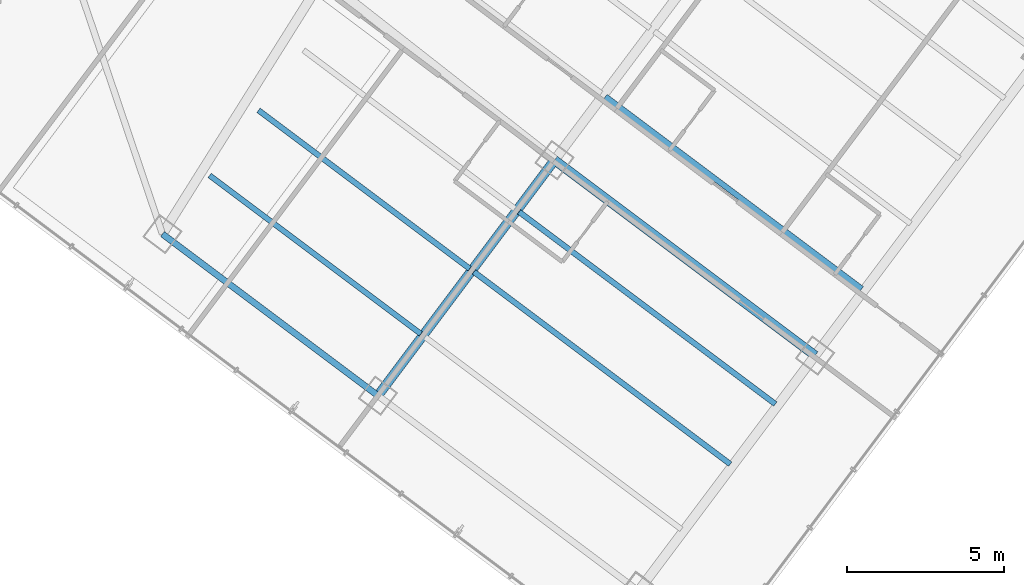
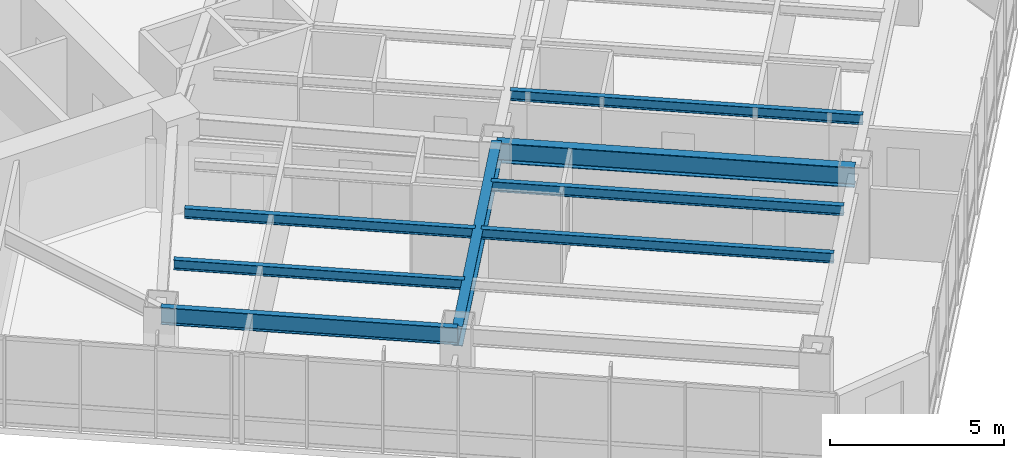
# One storey, part 13 of 36: 8 beams.
"""IFC4 building model written with IfcOpenShell, lengths in metres."""

from ifc_helpers import new_model, si_unit, direction, frame, origin, origin_2d, place, context, subcontext, project, spatial, i_section, extrude, material, material_profile, profile_set, type_object, element, save


model = new_model("IFC4")

# Units and contexts
model_context = context("Model", 3, precision=1e-05, world=origin(), true_north=direction((0.0, 1.0)))
body_context = subcontext(model_context, "Body", "Model", "MODEL_VIEW")
ifc_project = project(units=[si_unit("LENGTHUNIT", "METRE"), si_unit("AREAUNIT", "SQUARE_METRE"), si_unit("VOLUMEUNIT", "CUBIC_METRE"), si_unit("PLANEANGLEUNIT", "RADIAN"), si_unit("MASSUNIT", "GRAM", prefix="KILO")], contexts=[model_context])

# Site, building, storey
site_placement = place(None, origin())
site = spatial("IfcSite", under=ifc_project, at=site_placement, CompositionType="ELEMENT")
building_placement = place(site_placement, origin())
building = spatial("IfcBuilding", under=site, at=building_placement, Name="Hatsunagi Terrace Concourse", CompositionType="ELEMENT")
storey_placement = place(building_placement, frame((0.0, 0.0, 84.64990234375)))
storey = spatial("IfcBuildingStorey", under=building, at=storey_placement, Name="L22", CompositionType="ELEMENT", Elevation=84.64990234375)

# Beams
ifc_material_1 = material(Name="Steel SN490B", Category="steel")
ifc_material_profile_1 = material_profile(ifc_material_1, i_section(OverallWidth=0.300048828125, OverallDepth=0.699951171875, WebThickness=0.012939453125, FlangeThickness=0.02392578125, FilletRadius=0.02197265625, at=origin_2d()), Name="H-700x300x13x24")
ifc_profile_set_1 = profile_set([ifc_material_profile_1], Name="Steel SN490B")
beam_type_1 = type_object("IfcBeamType", Name="HotelFloorGirder_H_700x300", PredefinedType="BEAM", material=ifc_profile_set_1)
beam_1_placement = place(storey_placement, frame((45.56005859375, 10.8798828125, 2.780029296875), z_axis=(0.599991688754, 0.800006233367, 0.0), x_axis=(-0.800006233367, 0.599991688754, 0.0)))
element("IfcBeam", 1, at=beam_1_placement, inside=storey, type_object=beam_type_1, Name="Beam G-04 BM-L22-SET-2A", PredefinedType="BEAM", context=body_context, shape_type="SweptSolid", body=[
    extrude(i_section(OverallWidth=0.300048828125, OverallDepth=0.699951171875, WebThickness=0.012939453125, FlangeThickness=0.02392578125, FilletRadius=0.02197265625, at=origin_2d()), origin(), (0.0, 0.0, 1.0), 9.39990234375),
])
beam_2_placement = place(storey_placement, frame((51.199951171875, 18.39990234375, 2.780029296875), z_axis=(0.800002816985, -0.599996244001, 0.0), x_axis=(0.599996244001, 0.800002816985, 0.0)))
element("IfcBeam", 2, at=beam_2_placement, inside=storey, type_object=beam_type_1, Name="Beam G-04 BM-L22-SE-M3", PredefinedType="BEAM", context=body_context, shape_type="SweptSolid", body=[
    extrude(i_section(OverallWidth=0.300048828125, OverallDepth=0.699951171875, WebThickness=0.012939453125, FlangeThickness=0.02392578125, FilletRadius=0.02197265625, at=origin_2d()), origin(), (0.0, 0.0, 1.0), 10.400146484375),
])
ifc_material_2 = material(Name="Steel SN490B", Category="steel")
ifc_material_profile_2 = material_profile(ifc_material_2, i_section(OverallWidth=0.175048828125, OverallDepth=0.35009765625, WebThickness=0.007080078125, FlangeThickness=0.010986328125, FilletRadius=0.012939453125, at=origin_2d()), Name="H-350x175x7x11")
ifc_profile_set_2 = profile_set([ifc_material_profile_2], Name="Steel SN490B")
beam_type_2 = type_object("IfcBeamType", Name="HotelJoist_H_350x175", PredefinedType="JOIST", material=ifc_profile_set_2)
for number, where, z_axis, x_axis, name in (
    (3, (40.18798828125, 17.908935546875, 2.955078125), (0.800003475366, -0.59999536615, 0.0), (0.59999536615, 0.800003475366, 0.0), "Beam J-02 J-L22-SE-2-46"),
    (4, (41.748046875, 19.989013671875, 2.955078125), (0.799989573921, -0.600013901187, 0.0), (0.600013901187, 0.799989573921, 0.0), "Beam J-02 J-L22-SE-2-72"),
):
    element("IfcBeam", number, at=place(storey_placement, frame(where, z_axis=z_axis, x_axis=x_axis)), inside=storey, type_object=beam_type_2, Name=name, PredefinedType="JOIST", context=body_context, shape_type="SweptSolid", body=[
        extrude(i_section(OverallWidth=0.175048828125, OverallDepth=0.35009765625, WebThickness=0.007080078125, FlangeThickness=0.010986328125, FilletRadius=0.012939453125, at=origin_2d()), origin(), (0.0, 0.0, 1.0), 8.429931640625),
    ])
beam_3_placement = place(storey_placement, frame((48.6279296875, 14.8291015625, 2.955078125), z_axis=(0.799994272423, -0.600007636694, 0.0), x_axis=(0.600007636694, 0.799994272423, 0.0)))
element("IfcBeam", 5, at=beam_3_placement, inside=storey, type_object=beam_type_2, Name="Beam J-02 J-L22-SE-3-72", PredefinedType="JOIST", context=body_context, shape_type="SweptSolid", body=[
    extrude(i_section(OverallWidth=0.175048828125, OverallDepth=0.35009765625, WebThickness=0.007080078125, FlangeThickness=0.010986328125, FilletRadius=0.012939453125, at=origin_2d()), origin(), (0.0, 0.0, 1.0), 10.230224609375),
])
beam_4_placement = place(storey_placement, frame((50.068115234375, 16.7490234375, 2.955078125), z_axis=(0.799997136125, -0.600003818481, 0.0), x_axis=(0.600003818481, 0.799997136125, 0.0)))
element("IfcBeam", 6, at=beam_4_placement, inside=storey, type_object=beam_type_2, Name="Beam J-02 J-L22-SE-3-96", PredefinedType="JOIST", context=body_context, shape_type="SweptSolid", body=[
    extrude(i_section(OverallWidth=0.175048828125, OverallDepth=0.35009765625, WebThickness=0.007080078125, FlangeThickness=0.010986328125, FilletRadius=0.012939453125, at=origin_2d()), origin(), (0.0, 0.0, 1.0), 10.229736328125),
])
beam_5_placement = place(storey_placement, frame((52.827880859375, 20.428955078125, 2.955078125), z_axis=(0.800005727586, -0.599992363142, 0.0), x_axis=(0.599992363142, 0.800005727586, 0.0)))
element("IfcBeam", 7, at=beam_5_placement, inside=storey, type_object=beam_type_2, Name="Beam J-02 J-L22-SE-3-142", PredefinedType="JOIST", context=body_context, shape_type="SweptSolid", body=[
    extrude(i_section(OverallWidth=0.175048828125, OverallDepth=0.35009765625, WebThickness=0.007080078125, FlangeThickness=0.010986328125, FilletRadius=0.012939453125, at=origin_2d()), origin(), (0.0, 0.0, 1.0), 10.22998046875),
])
ifc_material_3 = material(Name="Steel SN490B", Category="steel")
ifc_material_profile_3 = material_profile(ifc_material_3, i_section(OverallWidth=0.199951171875, OverallDepth=0.60009765625, WebThickness=0.010986328125, FlangeThickness=0.01708984375, FilletRadius=0.01806640625, at=origin_2d()), Name="H-600x200x11x17")
ifc_profile_set_3 = profile_set([ifc_material_profile_3], Name="Steel SN490B")
beam_type_3 = type_object("IfcBeamType", Name="PerimeterSpandrel_H_600x200", PredefinedType="SPANDREL", material=ifc_profile_set_3)
beam_6_placement = place(storey_placement, frame((38.679931640625, 16.0400390625, 2.830078125), z_axis=(0.799996593451, -0.600004542038, 0.0), x_axis=(0.600004542038, 0.799996593451, 0.0)))
element("IfcBeam", 8, at=beam_6_placement, inside=storey, type_object=beam_type_3, Name="Beam SP-01 BM-L22-SE-SW2", PredefinedType="SPANDREL", context=body_context, shape_type="SweptSolid", body=[
    extrude(i_section(OverallWidth=0.199951171875, OverallDepth=0.60009765625, WebThickness=0.010986328125, FlangeThickness=0.01708984375, FilletRadius=0.01806640625, at=origin_2d()), origin(), (0.0, 0.0, 1.0), 8.60009765625),
])

save(model, "model.ifc")
